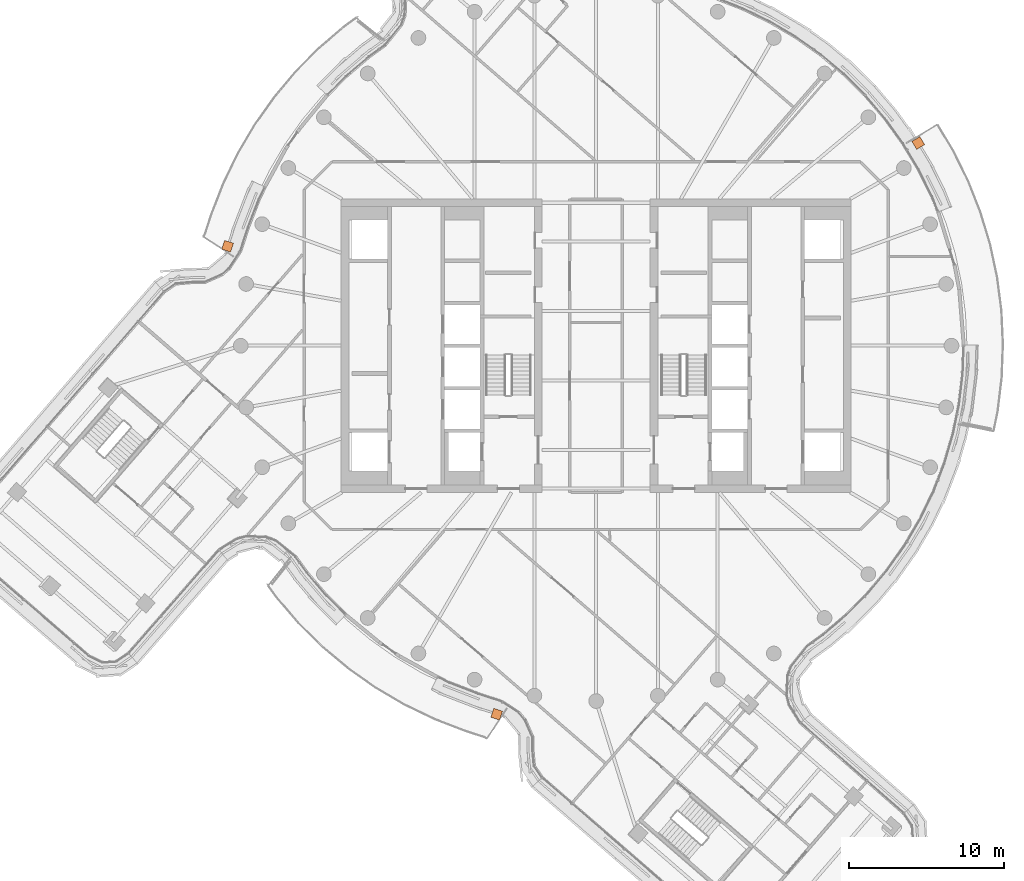
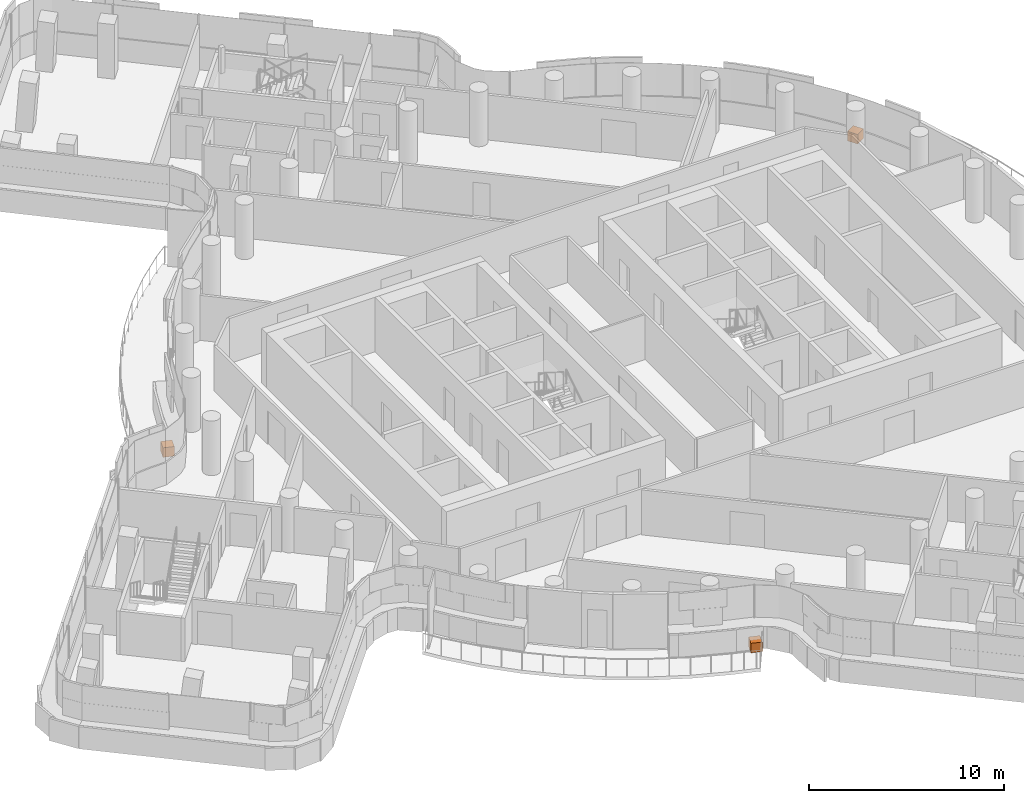
# One storey, part 32 of 32: 3 proxies.
"""IFC4 building model written with IfcOpenShell, lengths in metres."""

from ifc_helpers import new_model, si_unit, direction, frame, origin, origin_2d, place, context, subcontext, project, spatial, rectangle, extrude, material, type_object, element, save


model = new_model("IFC4")

# Units and contexts
model_context = context("Model", 3, precision=1e-05, world=origin(), true_north=direction((0.0, 1.0)))
body_context = subcontext(model_context, "Body", "Model", "MODEL_VIEW")
ifc_project = project(units=[si_unit("LENGTHUNIT", "METRE"), si_unit("AREAUNIT", "SQUARE_METRE"), si_unit("VOLUMEUNIT", "CUBIC_METRE"), si_unit("PLANEANGLEUNIT", "RADIAN"), si_unit("MASSUNIT", "GRAM", prefix="KILO")], contexts=[model_context])

# Site, building, storey
site_placement = place(None, origin())
site = spatial("IfcSite", under=ifc_project, at=site_placement, CompositionType="ELEMENT")
building_placement = place(site_placement, origin())
building = spatial("IfcBuilding", under=site, at=building_placement, Name="Tamarind Cross Interchange Tower", CompositionType="ELEMENT")
storey_placement = place(building_placement, frame((0.0, 0.0, 211.300048828125)))
storey = spatial("IfcBuildingStorey", under=building, at=storey_placement, Name="L53", CompositionType="ELEMENT", Elevation=211.300048828125)

# Proxies
ifc_material = material(Name="Concrete C30", Category="concrete")
building_element_proxy_type = type_object("IfcBuildingElementProxyType", Name="Planter", PredefinedType="USERDEFINED", material=ifc_material)
proxy_1_placement = place(storey_placement, origin())
element("IfcBuildingElementProxy", 1, at=proxy_1_placement, inside=storey, type_object=building_element_proxy_type, Name="PLT-L53-BAL02", ObjectType="Planter", PredefinedType="USERDEFINED", context=body_context, shape_type="SweptSolid", body=[
    extrude(rectangle(XDim=0.60009765625, YDim=0.60009765625, at=origin_2d()), frame((-6.437255859375, -23.851806640625, 0.0), z_axis=(0.0, 0.0, 1.0), x_axis=(0.950582973544, -0.310470627288, 0.0)), (0.0, 0.0, 1.0), 0.60009765625),
])
proxy_2_placement = place(storey_placement, origin())
element("IfcBuildingElementProxy", 2, at=proxy_2_placement, inside=storey, type_object=building_element_proxy_type, Name="PLT-L53-BAL06", ObjectType="Planter", PredefinedType="USERDEFINED", context=body_context, shape_type="SweptSolid", body=[
    extrude(rectangle(XDim=0.60009765625, YDim=0.60009765625, at=origin_2d()), frame((20.847412109375, 13.116455078125, 0.0), z_axis=(0.0, 0.0, 1.0), x_axis=(-0.515577308909, 0.856843065292, 0.0)), (0.0, 0.0, 1.0), 0.60009765625),
])
proxy_3_placement = place(storey_placement, origin())
element("IfcBuildingElementProxy", 3, at=proxy_3_placement, inside=storey, type_object=building_element_proxy_type, Name="PLT-L53-BAL10", ObjectType="Planter", PredefinedType="USERDEFINED", context=body_context, shape_type="SweptSolid", body=[
    extrude(rectangle(XDim=0.60009765625, YDim=0.60009765625, at=origin_2d()), frame((-23.851806640625, 6.437255859375, 0.0), z_axis=(0.0, 0.0, 1.0), x_axis=(-0.310470627288, -0.950582973544, 0.0)), (0.0, 0.0, 1.0), 0.60009765625),
])

save(model, "model.ifc")
